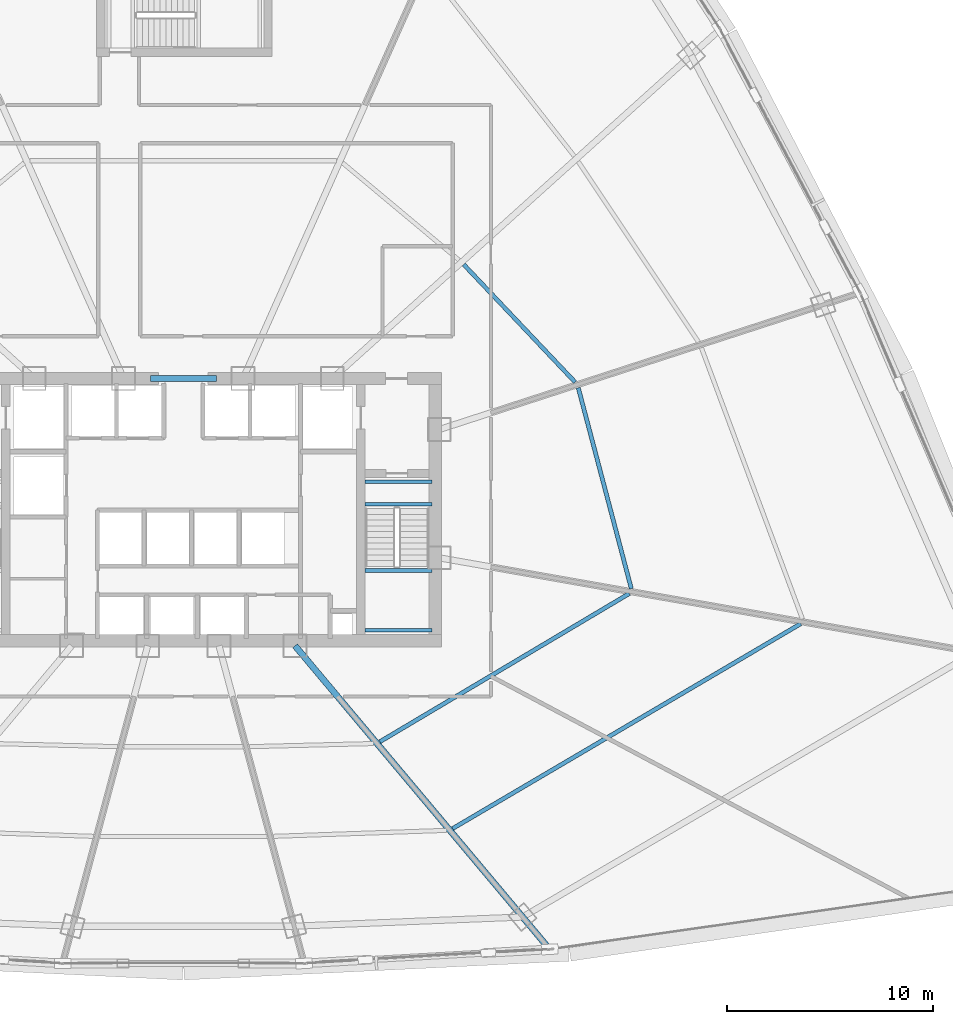
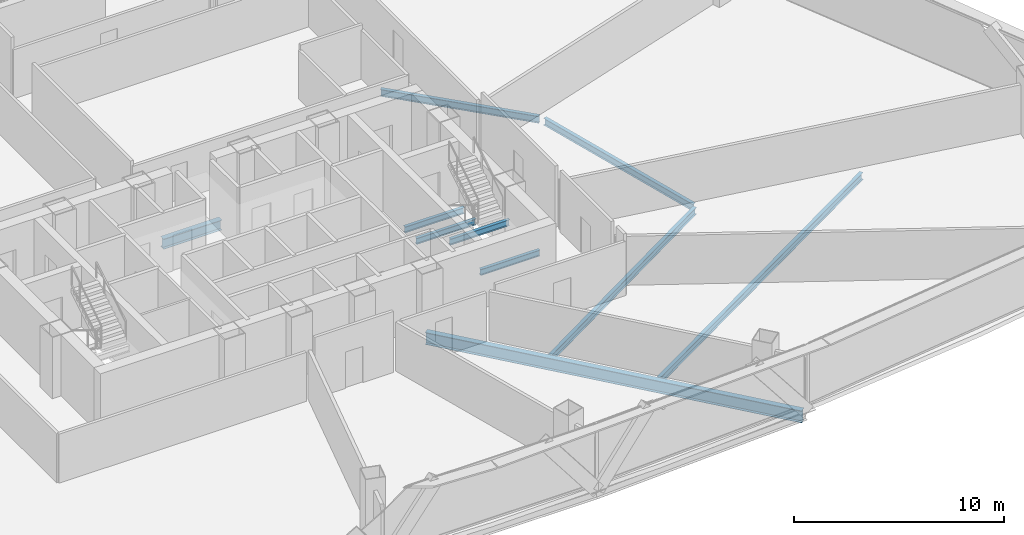
# One storey, part 13 of 39: 10 beams.
"""IFC4 building model written with IfcOpenShell, lengths in metres."""

from ifc_helpers import new_model, si_unit, direction, frame, origin, origin_2d, place, context, subcontext, project, spatial, i_section, extrude, source, transform, mapped, material, material_profile, profile_set, type_object, element, save


model = new_model("IFC4")

# Units and contexts
model_context = context("Model", 3, precision=1e-05, world=origin(), true_north=direction((0.0, 1.0)))
body_context = subcontext(model_context, "Body", "Model", "MODEL_VIEW")
ifc_project = project(units=[si_unit("LENGTHUNIT", "METRE"), si_unit("AREAUNIT", "SQUARE_METRE"), si_unit("VOLUMEUNIT", "CUBIC_METRE"), si_unit("PLANEANGLEUNIT", "RADIAN"), si_unit("MASSUNIT", "GRAM", prefix="KILO"), si_unit("THERMODYNAMICTEMPERATUREUNIT", "KELVIN"), si_unit("POWERUNIT", "WATT")], contexts=[model_context])

# Site, building, storey
site_placement = place(None, origin())
site = spatial("IfcSite", under=ifc_project, at=site_placement, CompositionType="ELEMENT")
building_placement = place(site_placement, origin())
building = spatial("IfcBuilding", under=site, at=building_placement, Name="Yunzhuo Pagoda Commons", CompositionType="ELEMENT")
storey_placement = place(building_placement, frame((0.0, 0.0, 96.3798828125)))
storey = spatial("IfcBuildingStorey", under=building, at=storey_placement, Name="L24", CompositionType="ELEMENT", Elevation=96.3798828125)

# Beams
ifc_material_1 = material(Name="Structural steel Q355B", Category="steel")
ifc_material_profile_1 = material_profile(ifc_material_1, i_section(OverallWidth=0.175048828125, OverallDepth=0.35009765625, WebThickness=0.007080078125, FlangeThickness=0.010986328125, at=origin_2d()), Name="Structural steel Q355B")
ifc_profile_set_1 = profile_set([ifc_material_profile_1], Name="Structural steel Q355B")
beam_type_1 = type_object("IfcBeamType", Name="B-JS2 Joist HN 350x175x7x11", PredefinedType="JOIST", material=ifc_profile_set_1)
shared_shape_1 = source(origin(), body_context, "Body", "SweptSolid", [
    extrude(i_section(OverallWidth=0.175048828125, OverallDepth=0.35009765625, WebThickness=0.007080078125, FlangeThickness=0.010986328125, at=origin_2d()), origin(), (0.0, 0.0, 1.0), 3.25),
])
for number, where, z_axis, x_axis, name in (
    (1, (56.800048828125, 28.0, 1.525146484375), (1.0, 0.0, 0.0), (0.0, 1.0, 0.0), "L24 ST2 landing support beam 30A"),
    (2, (56.800048828125, 30.89990234375, 1.525146484375), (1.0, 0.0, 0.0), (0.0, 1.0, 0.0), "L24 ST2 landing support beam 30B"),
    (3, (56.800048828125, 34.10009765625, -0.375), (1.0, 0.0, 0.0), (0.0, 1.0, 0.0), "L24 ST2 landing support beam 128A"),
    (4, (56.800048828125, 35.199951171875, -0.375), (1.0, 0.0, 0.0), (0.0, 1.0, 0.0), "L24 ST2 landing support beam 128B"),
):
    element("IfcBeam", number, at=place(storey_placement, frame(where, z_axis=z_axis, x_axis=x_axis)), inside=storey, type_object=beam_type_1, Name=name, PredefinedType="JOIST", context=body_context, shape_type="MappedRepresentation", body=[
        mapped(shared_shape_1, transform((0.0, 0.0, 0.0), scale=1.0)),
    ])
ifc_material_2 = material(Name="Structural steel Q420B", Category="steel")
ifc_material_profile_2 = material_profile(ifc_material_2, i_section(OverallWidth=0.300048828125, OverallDepth=0.587890625, WebThickness=0.011962890625, FlangeThickness=0.02001953125, at=origin_2d()), Name="Structural steel Q420B")
ifc_profile_set_2 = profile_set([ifc_material_profile_2], Name="Structural steel Q420B")
beam_type_2 = type_object("IfcBeamType", Name="B-CPL Beam HM 588x300x12x20", PredefinedType="BEAM", material=ifc_profile_set_2)
shared_shape_2 = source(origin(), body_context, "Body", "SweptSolid", [
    extrude(i_section(OverallWidth=0.300048828125, OverallDepth=0.587890625, WebThickness=0.011962890625, FlangeThickness=0.02001953125, at=origin_2d()), origin(), (0.0, 0.0, 1.0), 3.2001953125),
])
beam_1_placement = place(storey_placement, frame((46.39990234375, 40.199951171875, -0.553955078125), z_axis=(1.0, 0.0, 0.0), x_axis=(0.0, 1.0, 0.0)))
element("IfcBeam", 5, at=beam_1_placement, inside=storey, type_object=beam_type_2, Name="L24 core coupling girder", PredefinedType="BEAM", context=body_context, shape_type="MappedRepresentation", body=[
    mapped(shared_shape_2, transform((0.0, 0.0, 0.0), scale=1.0)),
])
ifc_material_profile_3 = material_profile(ifc_material_1, i_section(OverallWidth=0.199951171875, OverallDepth=0.39990234375, WebThickness=0.008056640625, FlangeThickness=0.012939453125, at=origin_2d()), Name="Structural steel Q355B")
ifc_profile_set_3 = profile_set([ifc_material_profile_3], Name="Structural steel Q355B")
beam_type_3 = type_object("IfcBeamType", Name="B-JS1 Joist HN 400x200x8x13", PredefinedType="JOIST", material=ifc_profile_set_3)
shared_shape_3 = source(origin(), body_context, "Body", "SweptSolid", [
    extrude(i_section(OverallWidth=0.199951171875, OverallDepth=0.39990234375, WebThickness=0.008056640625, FlangeThickness=0.012939453125, at=origin_2d()), origin(), (0.0, 0.0, 1.0), 14.061767578125),
])
beam_2_placement = place(storey_placement, frame((57.517578125, 22.601806640625, -0.4599609375), z_axis=(0.859683443923, 0.510827149088, 0.0), x_axis=(-0.510827149088, 0.859683443923, 0.0)))
element("IfcBeam", 6, at=beam_2_placement, inside=storey, type_object=beam_type_3, Name="L24 composite ring joist 1.4", PredefinedType="JOIST", context=body_context, shape_type="MappedRepresentation", body=[
    mapped(shared_shape_3, transform((0.0, 0.0, 0.0), scale=1.0)),
])
shared_shape_4 = source(origin(), body_context, "Body", "SweptSolid", [
    extrude(i_section(OverallWidth=0.199951171875, OverallDepth=0.39990234375, WebThickness=0.008056640625, FlangeThickness=0.012939453125, at=origin_2d()), origin(), (0.0, 0.0, 1.0), 19.568603515625),
])
beam_3_placement = place(storey_placement, frame((61.04541015625, 18.39697265625, -0.4599609375), z_axis=(0.861862685393, 0.50714170754, 0.0), x_axis=(-0.50714170754, 0.861862685393, 0.0)))
element("IfcBeam", 7, at=beam_3_placement, inside=storey, type_object=beam_type_3, Name="L24 composite ring joist 2.4", PredefinedType="JOIST", context=body_context, shape_type="MappedRepresentation", body=[
    mapped(shared_shape_4, transform((0.0, 0.0, 0.0), scale=1.0)),
])
shared_shape_5 = source(origin(), body_context, "Body", "SweptSolid", [
    extrude(i_section(OverallWidth=0.199951171875, OverallDepth=0.39990234375, WebThickness=0.008056640625, FlangeThickness=0.012939453125, at=origin_2d()), origin(), (0.0, 0.0, 1.0), 10.0634765625),
])
beam_4_placement = place(storey_placement, frame((69.702392578125, 30.019775390625, -0.4599609375), z_axis=(-0.255289713136, 0.966864603948, 0.0), x_axis=(-0.966864603948, -0.255289713136, 0.0)))
element("IfcBeam", 8, at=beam_4_placement, inside=storey, type_object=beam_type_3, Name="L24 composite ring joist 1.5", PredefinedType="JOIST", context=body_context, shape_type="MappedRepresentation", body=[
    mapped(shared_shape_5, transform((0.0, 0.0, 0.0), scale=1.0)),
])
shared_shape_6 = source(origin(), body_context, "Body", "SweptSolid", [
    extrude(i_section(OverallWidth=0.199951171875, OverallDepth=0.39990234375, WebThickness=0.008056640625, FlangeThickness=0.012939453125, at=origin_2d()), origin(), (0.0, 0.0, 1.0), 7.85009765625),
])
beam_5_placement = place(storey_placement, frame((66.9833984375, 40.01904296875, -0.4599609375), z_axis=(-0.687513423145, 0.726171669095, 0.0), x_axis=(-0.726171669095, -0.687513423145, 0.0)))
element("IfcBeam", 9, at=beam_5_placement, inside=storey, type_object=beam_type_3, Name="L24 composite ring joist 1.6", PredefinedType="JOIST", context=body_context, shape_type="MappedRepresentation", body=[
    mapped(shared_shape_6, transform((0.0, 0.0, 0.0), scale=1.0)),
])
ifc_material_profile_4 = material_profile(ifc_material_1, i_section(OverallWidth=0.300048828125, OverallDepth=0.699951171875, WebThickness=0.012939453125, FlangeThickness=0.02392578125, at=origin_2d()), Name="Structural steel Q355B")
ifc_profile_set_4 = profile_set([ifc_material_profile_4], Name="Structural steel Q355B")
beam_type_4 = type_object("IfcBeamType", Name="B-RG1 Beam HN 700x300x13x24", PredefinedType="BEAM", material=ifc_profile_set_4)
shared_shape_7 = source(origin(), body_context, "Body", "SweptSolid", [
    extrude(i_section(OverallWidth=0.300048828125, OverallDepth=0.699951171875, WebThickness=0.012939453125, FlangeThickness=0.02392578125, at=origin_2d()), origin(), (0.0, 0.0, 1.0), 19.038330078125),
])
beam_6_placement = place(storey_placement, frame((65.64990234375, 12.666015625, -0.609619140625), z_axis=(-0.642799231831, 0.766034690832, 0.0), x_axis=(-0.766034690832, -0.642799231831, 0.0)))
element("IfcBeam", 10, at=beam_6_placement, inside=storey, type_object=beam_type_4, Name="L24 radial floor girder F1C4", PredefinedType="BEAM", context=body_context, shape_type="MappedRepresentation", body=[
    mapped(shared_shape_7, transform((0.0, 0.0, 0.0), scale=1.0)),
])

save(model, "model.ifc")
